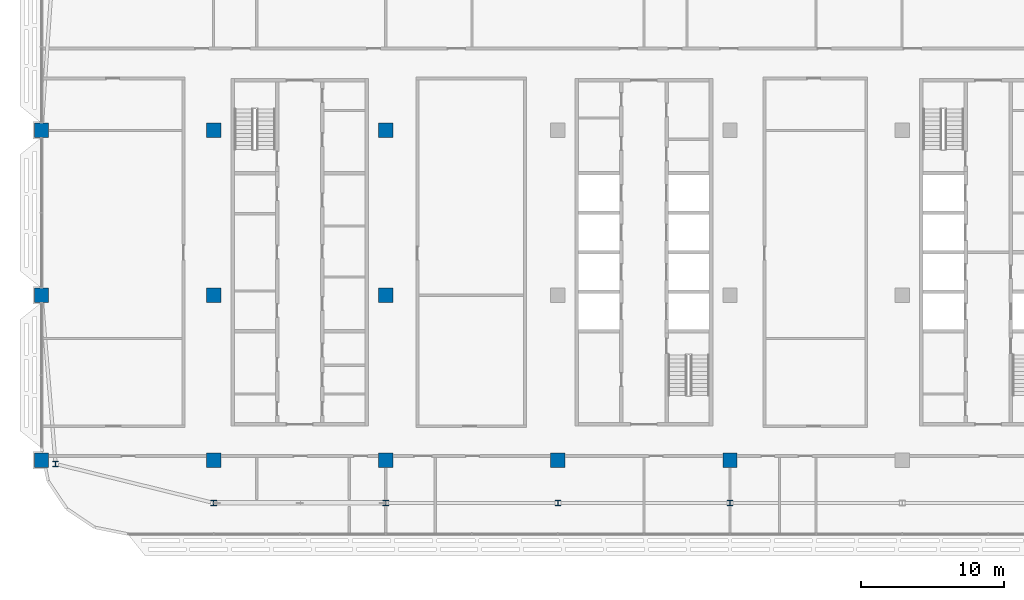
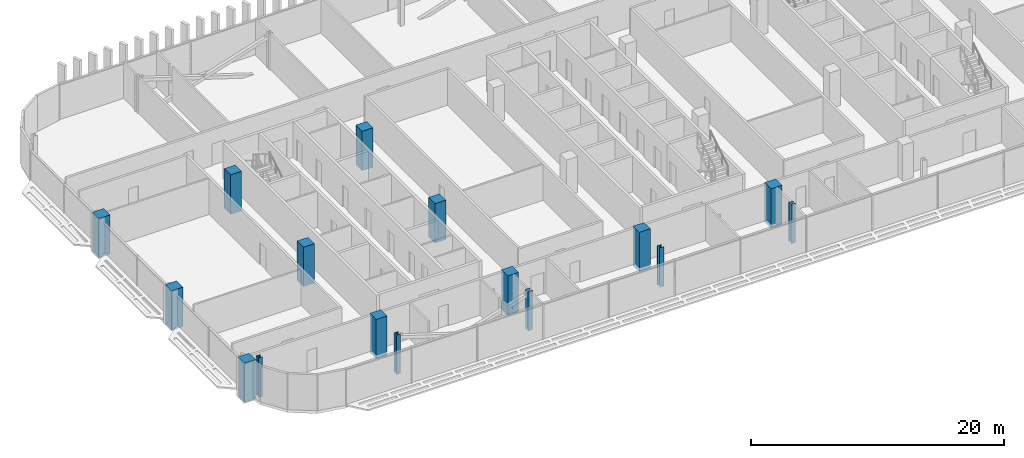
# One storey, part 1 of 32: 16 columns.
"""IFC4 building model written with IfcOpenShell, lengths in metres."""

from ifc_helpers import new_model, si_unit, direction, frame, origin, origin_2d, place, context, subcontext, project, spatial, rectangle, i_section, extrude, material, material_profile, profile_set, type_object, element, save


model = new_model("IFC4")

# Units and contexts
model_context = context("Model", 3, precision=1e-05, world=origin(), true_north=direction((0.0, 1.0)))
body_context = subcontext(model_context, "Body", "Model", "MODEL_VIEW")
ifc_project = project(units=[si_unit("LENGTHUNIT", "METRE"), si_unit("AREAUNIT", "SQUARE_METRE"), si_unit("VOLUMEUNIT", "CUBIC_METRE"), si_unit("PLANEANGLEUNIT", "RADIAN"), si_unit("MASSUNIT", "GRAM", prefix="KILO")], contexts=[model_context])

# Site, building, storey
site_placement = place(None, origin())
site = spatial("IfcSite", under=ifc_project, at=site_placement, CompositionType="ELEMENT")
building_placement = place(site_placement, origin())
building = spatial("IfcBuilding", under=site, at=building_placement, Name="Mahtab Terrace Research Tower", CompositionType="ELEMENT")
storey_placement = place(building_placement, frame((0.0, 0.0, 232.39990234375)))
storey = spatial("IfcBuildingStorey", under=building, at=storey_placement, Name="L56", CompositionType="ELEMENT", Elevation=232.39990234375)

# Columns
ifc_material_1 = material(Name="Concrete C70/85", Category="concrete")
ifc_material_profile_1 = material_profile(ifc_material_1, rectangle(XDim=1.0, YDim=1.0, at=origin_2d()), Name="RC column 1000x1000")
ifc_profile_set_1 = profile_set([ifc_material_profile_1], Name="Concrete C70/85")
column_type_1 = type_object("IfcColumnType", Name="RC column 1000x1000", PredefinedType="COLUMN", material=ifc_profile_set_1)
for number, where, z_axis, x_axis, name in (
    (1, (-42.0, -11.5, -0.33984375), (0.0, 0.0, 1.0), (1.0, 0.0, 0.0), "Column RC-1A L56"),
    (2, (-42.0, 0.0, -0.33984375), (0.0, 0.0, 1.0), (1.0, 0.0, 0.0), "Column RC-1B L56"),
    (3, (-42.0, 11.5, -0.33984375), (0.0, 0.0, 1.0), (1.0, 0.0, 0.0), "Column RC-1C L56"),
    (4, (-30.0, -11.5, -0.33984375), (0.0, 0.0, 1.0), (1.0, 0.0, 0.0), "Column RC-2A L56"),
    (5, (-30.0, 0.0, -0.33984375), (0.0, 0.0, 1.0), (1.0, 0.0, 0.0), "Column RC-2B L56"),
    (6, (-30.0, 11.5, -0.33984375), (0.0, 0.0, 1.0), (1.0, 0.0, 0.0), "Column RC-2C L56"),
    (7, (-18.0, -11.5, -0.33984375), (0.0, 0.0, 1.0), (1.0, 0.0, 0.0), "Column RC-3A L56"),
    (8, (-18.0, 0.0, -0.33984375), (0.0, 0.0, 1.0), (1.0, 0.0, 0.0), "Column RC-3B L56"),
    (9, (-18.0, 11.5, -0.33984375), (0.0, 0.0, 1.0), (1.0, 0.0, 0.0), "Column RC-3C L56"),
    (10, (-6.0, -11.5, -0.33984375), (0.0, 0.0, 1.0), (1.0, 0.0, 0.0), "Column RC-4A L56"),
    (11, (6.0, -11.5, -0.33984375), (0.0, 0.0, 1.0), (1.0, 0.0, 0.0), "Column RC-5A L56"),
):
    element("IfcColumn", number, at=place(storey_placement, frame(where, z_axis=z_axis, x_axis=x_axis)), inside=storey, type_object=column_type_1, Name=name, PredefinedType="COLUMN", context=body_context, shape_type="SweptSolid", body=[
        extrude(rectangle(XDim=1.0, YDim=1.0, at=origin_2d()), origin(), (0.0, 0.0, 1.0), 3.800048828125),
    ])
ifc_material_2 = material(Name="Steel ASTM A992 Gr 50", Category="steel")
ifc_material_profile_2 = material_profile(ifc_material_2, i_section(OverallWidth=0.398681640625, OverallDepth=0.385986328125, WebThickness=0.02099609375, FlangeThickness=0.033203125, at=origin_2d()), Name="W14X176")
ifc_profile_set_2 = profile_set([ifc_material_profile_2], Name="Steel ASTM A992 Gr 50")
column_type_2 = type_object("IfcColumnType", Name="W14x176 column CS14176", PredefinedType="COLUMN", material=ifc_profile_set_2)
for number, where, z_axis, x_axis, name in (
    (12, (-41.02099609375, -11.758056640625, -0.33984375), (0.0, 0.0, 1.0), (1.0, 0.0, 0.0), "Column SC-061 L56"),
    (13, (-30.0, -14.472900390625, -0.33984375), (0.0, 0.0, 1.0), (1.0, 0.0, 0.0), "Column SC-062 L56"),
    (14, (-18.0, -14.472900390625, -0.33984375), (0.0, 0.0, 1.0), (1.0, 0.0, 0.0), "Column SC-063 L56"),
    (15, (-6.0, -14.472900390625, -0.33984375), (0.0, 0.0, 1.0), (1.0, 0.0, 0.0), "Column SC-064 L56"),
    (16, (6.0, -14.472900390625, -0.33984375), (0.0, 0.0, 1.0), (1.0, 0.0, 0.0), "Column SC-065 L56"),
):
    element("IfcColumn", number, at=place(storey_placement, frame(where, z_axis=z_axis, x_axis=x_axis)), inside=storey, type_object=column_type_2, Name=name, PredefinedType="COLUMN", context=body_context, shape_type="SweptSolid", body=[
        extrude(i_section(OverallWidth=0.398681640625, OverallDepth=0.385986328125, WebThickness=0.02099609375, FlangeThickness=0.033203125, at=origin_2d()), origin(), (0.0, 0.0, 1.0), 3.800048828125),
    ])

save(model, "model.ifc")
